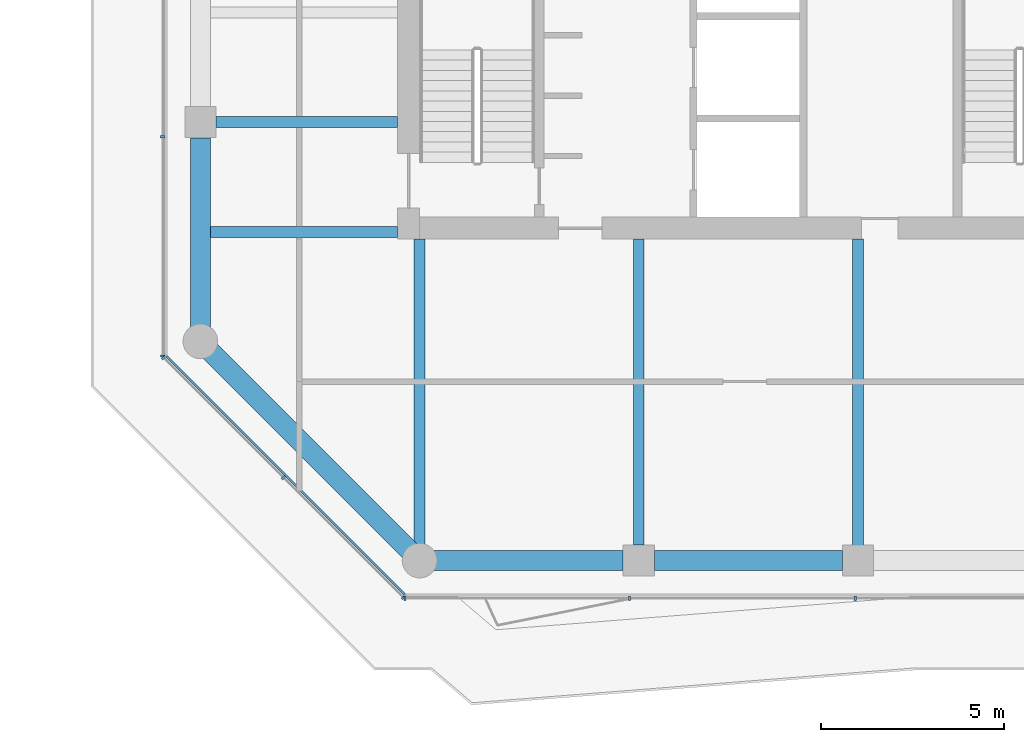
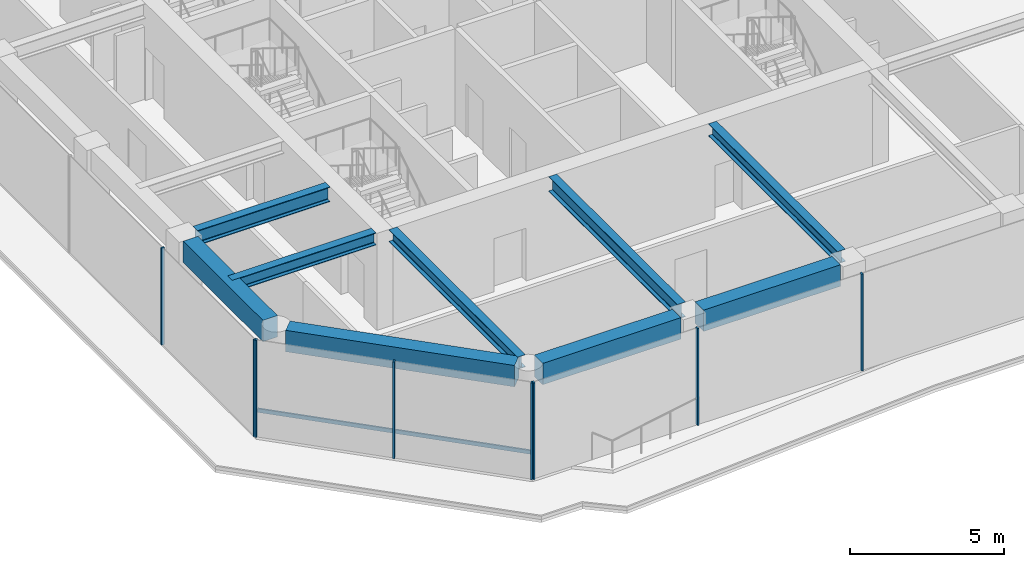
# One storey, part 2 of 23: 9 beams, 9 members, 3 elements without a shape of their own.
"""IFC4 building model written with IfcOpenShell, lengths in metres."""

import ifcopenshell
import ifcopenshell.guid

model = None  # the IFC model being written
_history = None  # IfcOwnerHistory: only IFC2X3 demands one
_inside = {}  # id of a spatial element -> (the spatial element, [elements in it])
_under = {}  # id of a project, library or spatial element -> (it, [spatial elements below it])
_declared = {}  # id of a project -> (the project, [libraries it declares])
_typed = {}  # id of a type object -> (the type object, [elements of that type])
_made_of = {}  # id of a material, layer set ... -> (it, [elements and type objects made of it])


def new_model(schema):
    """Start an empty IFC model of exactly this schema.

    Asked for "IFC4X3", IfcOpenShell would pick the latest addendum, in which some entities
    have other attributes; the version numbers below select the first issue.
    IFC2X3 requires an IfcOwnerHistory on every rooted entity: one is made here for all.
    """
    global model, _history
    if schema == "IFC4X3":
        model = ifcopenshell.file(schema_version=(4, 3, 0, 0))
    else:
        model = ifcopenshell.file(schema=schema)
    _inside.clear()
    _under.clear()
    _declared.clear()
    _typed.clear()
    _made_of.clear()
    _history = None
    if model.schema == "IFC2X3":
        org = make("IfcOrganization", Name="unknown")
        user = make(
            "IfcPersonAndOrganization",
            ThePerson=make("IfcPerson", FamilyName="unknown"),
            TheOrganization=org,
        )
        app = make(
            "IfcApplication",
            ApplicationDeveloper=org,
            Version="unknown",
            ApplicationFullName="unknown",
            ApplicationIdentifier="unknown",
        )
        _history = make(
            "IfcOwnerHistory",
            OwningUser=user,
            OwningApplication=app,
            ChangeAction="ADDED",
            CreationDate=0,
        )
    return model


def make(cls, **values):
    """One entity of the class cls with the attributes given. An attribute that is None is left unset."""
    return model.create_entity(
        cls, **{name: value for name, value in values.items() if value is not None}
    )


def rooted(cls, **values):
    """An entity with a GlobalId (a new one), such as an element, a storey or a relation."""
    return make(cls, GlobalId=ifcopenshell.guid.new(), OwnerHistory=_history, **values)


def si_unit(unit_type, name, prefix=None):
    """IfcSIUnit, for example si_unit("LENGTHUNIT", "METRE", prefix="MILLI")."""
    return make("IfcSIUnit", UnitType=unit_type, Prefix=prefix, Name=name)


def assignment(units):
    """IfcUnitAssignment: the units of a project."""
    return None if units is None else make("IfcUnitAssignment", Units=units)


def point(xyz):
    """IfcCartesianPoint."""
    return None if xyz is None else make("IfcCartesianPoint", Coordinates=xyz)


def direction(xyz):
    """IfcDirection."""
    return None if xyz is None else make("IfcDirection", DirectionRatios=xyz)


def frame(location, z_axis=None, x_axis=None):
    """IfcAxis2Placement3D, a coordinate frame: its origin and axes. An axis left out is left unset."""
    return make(
        "IfcAxis2Placement3D",
        Location=point(location),
        Axis=direction(z_axis),
        RefDirection=direction(x_axis),
    )


def frame_2d(location, x_axis=None):
    """IfcAxis2Placement2D, a coordinate frame in the plane: its origin and x axis."""
    return make(
        "IfcAxis2Placement2D", Location=point(location), RefDirection=direction(x_axis)
    )


def origin():
    """The frame at (0, 0, 0) with its axes left unset."""
    return frame((0.0, 0.0, 0.0))


def origin_2d():
    """The frame at (0, 0) in the plane with its x axis left unset."""
    return frame_2d((0.0, 0.0))


def place(relative_to, where):
    """IfcLocalPlacement: puts the frame where relative to a parent placement (None: the world)."""
    return make(
        "IfcLocalPlacement", PlacementRelTo=relative_to, RelativePlacement=where
    )


def context(
    kind, dimensions, precision=None, world=None, true_north=None, identifier=None
):
    """IfcGeometricRepresentationContext, for example the 3D "Model" context."""
    return make(
        "IfcGeometricRepresentationContext",
        ContextIdentifier=identifier,
        ContextType=kind,
        CoordinateSpaceDimension=dimensions,
        Precision=precision,
        WorldCoordinateSystem=world,
        TrueNorth=true_north,
    )


def subcontext(parent, identifier, kind, view, scale=None):
    """IfcGeometricRepresentationSubContext, for example "Body" below "Model"."""
    return make(
        "IfcGeometricRepresentationSubContext",
        ContextIdentifier=identifier,
        ContextType=kind,
        ParentContext=parent,
        TargetScale=scale,
        TargetView=view,
    )


def project(units=None, contexts=None):
    """IfcProject with its units and contexts."""
    return rooted(
        "IfcProject",
        Name="project",
        RepresentationContexts=contexts,
        UnitsInContext=assignment(units),
    )


def spatial(cls, under=None, at=None, **own):
    """A site, building, storey or space (cls), placed at a placement, below another one or the project."""
    s = rooted(cls, ObjectPlacement=at, **own)
    if under is not None:
        _under.setdefault(under.id(), (under, []))[1].append(s)
    return s


def profile(cls, at=None, kind="AREA", **sizes):
    """A parametric profile (cls). Its sizes go by their IFC names, for example OverallWidth=200.0."""
    return make(cls, ProfileType=kind, Position=at, **sizes)


def rectangle(**sizes):
    """IfcRectangleProfileDef."""
    return profile("IfcRectangleProfileDef", **sizes)


def i_section(**sizes):
    """IfcIShapeProfileDef."""
    return profile("IfcIShapeProfileDef", **sizes)


def extrude(swept, where, along, depth):
    """IfcExtrudedAreaSolid: the profile swept, set in the frame where, extruded along a direction by depth."""
    return make(
        "IfcExtrudedAreaSolid",
        SweptArea=swept,
        Position=where,
        ExtrudedDirection=direction(along),
        Depth=depth,
    )


def shape(context_of_items, identifier, shape_type, items):
    """IfcShapeRepresentation: the items that make up one representation, for example the "Body"."""
    return make(
        "IfcShapeRepresentation",
        ContextOfItems=context_of_items,
        RepresentationIdentifier=identifier,
        RepresentationType=shape_type,
        Items=items,
    )


def material(Name=None, Category=None):
    """IfcMaterial."""
    return make("IfcMaterial", Name=Name, Category=Category)


def layer(
    of_material, thickness, ventilated=None, Name=None, Category=None, Priority=None
):
    """IfcMaterialLayer: one layer of a wall or slab, of a material (None: an air gap)."""
    return make(
        "IfcMaterialLayer",
        Material=of_material,
        LayerThickness=thickness,
        IsVentilated=ventilated,
        Name=Name,
        Category=Category,
        Priority=Priority,
    )


def layer_set(layers, Name=None):
    """IfcMaterialLayerSet."""
    return make("IfcMaterialLayerSet", MaterialLayers=layers, LayerSetName=Name)


def material_profile(
    of_material, cross_section, Name=None, Category=None, Priority=None
):
    """IfcMaterialProfile: a cross section and its material."""
    return make(
        "IfcMaterialProfile",
        Name=Name,
        Material=of_material,
        Profile=cross_section,
        Priority=Priority,
        Category=Category,
    )


def profile_set(profiles, Name=None, composite=None):
    """IfcMaterialProfileSet."""
    return make(
        "IfcMaterialProfileSet",
        Name=Name,
        MaterialProfiles=profiles,
        CompositeProfile=composite,
    )


def made_of(thing, what):
    """Note that an element or type object is made of a material, layer set ...; save() writes the relation."""
    if what is not None:
        _made_of.setdefault(what.id(), (what, []))[1].append(thing)
    return thing


def type_object(cls, material=None, **own):
    """A type object (cls), such as IfcWallType, which elements share."""
    return made_of(rooted(cls, **own), material)


def element(
    cls,
    number,
    at=None,
    inside=None,
    cuts=None,
    type_object=None,
    material=None,
    context=None,
    identifier="Body",
    shape_type=None,
    held_by="IfcProductDefinitionShape",
    body=None,
    shapes=None,
    **own,
):
    """One element of the class cls, such as IfcWall. Its Tag is "e" and its number.

    at: its placement. inside: the storey or other place that contains it. cuts: it is an
    opening in that element (IfcRelVoidsElement). A single representation is given by context,
    identifier, shape_type and body (its items); several are given by shapes. held_by: the class
    of the entity that holds the representations. save() writes the other relations.
    """
    e = rooted(cls, Tag="e%d" % number, ObjectPlacement=at, **own)
    if body is not None:
        shapes = [shape(context, identifier, shape_type, body)]
    if shapes is not None:
        e.Representation = make(held_by, Representations=shapes)
    if inside is not None:
        _inside.setdefault(inside.id(), (inside, []))[1].append(e)
    if cuts is not None:
        rooted(
            "IfcRelVoidsElement", RelatingBuildingElement=cuts, RelatedOpeningElement=e
        )
    if type_object is not None:
        _typed.setdefault(type_object.id(), (type_object, []))[1].append(e)
    return made_of(e, material)


def aggregate(whole, parts):
    """IfcRelAggregates: a whole, such as a stair, and the parts it consists of."""
    return rooted("IfcRelAggregates", RelatingObject=whole, RelatedObjects=parts)


def save(model, path):
    """Write the relations noted so far, then the file.

    IfcRelAggregates (storeys below a building ...), IfcRelContainedInSpatialStructure (elements
    in a storey), IfcRelDefinesByType, IfcRelAssociatesMaterial and IfcRelDeclares: one each for
    every whole, place, type object, material and project.
    """
    for whole, parts in _under.values():
        aggregate(whole, parts)
    for where, things in _inside.values():
        rooted(
            "IfcRelContainedInSpatialStructure",
            RelatedElements=things,
            RelatingStructure=where,
        )
    for kind, things in _typed.values():
        rooted("IfcRelDefinesByType", RelatedObjects=things, RelatingType=kind)
    for what, things in _made_of.values():
        rooted("IfcRelAssociatesMaterial", RelatedObjects=things, RelatingMaterial=what)
    for by, libraries in _declared.values():
        rooted("IfcRelDeclares", RelatingContext=by, RelatedDefinitions=libraries)
    model.write(path)


model = new_model("IFC4")

# Units and contexts
model_context = context("Model", 3, precision=1e-05, world=origin(), true_north=direction((0.0, 1.0)))
body_context = subcontext(model_context, "Body", "Model", "MODEL_VIEW")
ifc_project = project(units=[si_unit("LENGTHUNIT", "METRE"), si_unit("AREAUNIT", "SQUARE_METRE"), si_unit("VOLUMEUNIT", "CUBIC_METRE"), si_unit("PLANEANGLEUNIT", "RADIAN"), si_unit("MASSUNIT", "GRAM", prefix="KILO")], contexts=[model_context])

# Site, building, storey
site_placement = place(None, origin())
site = spatial("IfcSite", under=ifc_project, at=site_placement, CompositionType="ELEMENT")
building_placement = place(site_placement, origin())
building = spatial("IfcBuilding", under=site, at=building_placement, Name="Welwitschia Terrace Campus", CompositionType="ELEMENT")
storey_placement = place(building_placement, frame((0.0, 0.0, 188.60009765625)))
storey = spatial("IfcBuildingStorey", under=building, at=storey_placement, Name="L42", CompositionType="ELEMENT", Elevation=188.60009765625)

# Beams
ifc_material_1 = material(Name="Steel S355", Category="steel")
ifc_material_profile_1 = material_profile(ifc_material_1, i_section(OverallWidth=0.300048828125, OverallDepth=0.489990234375, WebThickness=0.011962890625, FlangeThickness=0.02294921875, FilletRadius=0.027099609375, at=origin_2d()))
ifc_profile_set_1 = profile_set([ifc_material_profile_1], Name="Steel S355")
beam_type_1 = type_object("IfcBeamType", Name="Interior girder HE 500 A", PredefinedType="BEAM", material=ifc_profile_set_1)
beam_1_placement = place(storey_placement, frame((-0.010009765625, 5.0, 3.60498046875), z_axis=(1.0, 0.0, 0.0), x_axis=(0.0, 1.0, 0.0)))
element("IfcBeam", 1, at=beam_1_placement, inside=storey, type_object=beam_type_1, Name="Girder GB4", PredefinedType="BEAM", context=body_context, shape_type="SweptSolid", body=[
    extrude(i_section(OverallWidth=0.300048828125, OverallDepth=0.489990234375, WebThickness=0.011962890625, FlangeThickness=0.02294921875, FilletRadius=0.027099609375, at=origin_2d()), origin(), (0.0, 0.0, 1.0), 5.408935546875),
])
beam_2_placement = place(storey_placement, frame((6.0, -3.55859375, 3.60498046875), z_axis=(0.0, 1.0, 0.0), x_axis=(-1.0, 0.0, 0.0)))
element("IfcBeam", 2, at=beam_2_placement, inside=storey, type_object=beam_type_1, Name="Girder GB4", PredefinedType="BEAM", context=body_context, shape_type="SweptSolid", body=[
    extrude(i_section(OverallWidth=0.300048828125, OverallDepth=0.489990234375, WebThickness=0.011962890625, FlangeThickness=0.02294921875, FilletRadius=0.027099609375, at=origin_2d()), origin(), (0.0, 0.0, 1.0), 8.357666015625),
])
beam_3_placement = place(storey_placement, frame((18.0, -3.58447265625, 3.60498046875), z_axis=(0.0, 1.0, 0.0), x_axis=(-1.0, 0.0, 0.0)))
element("IfcBeam", 3, at=beam_3_placement, inside=storey, type_object=beam_type_1, Name="Girder GB4", PredefinedType="BEAM", context=body_context, shape_type="SweptSolid", body=[
    extrude(i_section(OverallWidth=0.300048828125, OverallDepth=0.489990234375, WebThickness=0.011962890625, FlangeThickness=0.02294921875, FilletRadius=0.027099609375, at=origin_2d()), origin(), (0.0, 0.0, 1.0), 8.383544921875),
])

# Curtain wall, members
ifc_material_2 = material(Name="Bronze anodised aluminium", Category="aluminium")
ifc_layer = layer(ifc_material_2, 0.1201171875)
ifc_layer_set = layer_set([ifc_layer], Name="Bronze anodised aluminium")
curtain_wall_type = type_object("IfcCurtainWallType", Name="Curtain wall CW2 tower 6000", PredefinedType="NOTDEFINED", material=ifc_layer_set)
curtain_wall_1_placement = place(storey_placement, origin())
curtain_wall_1 = element("IfcCurtainWall", 4, at=curtain_wall_1_placement, inside=storey, type_object=curtain_wall_type, Name="CW L42.1.0", PredefinedType="NOTDEFINED")
ifc_material_3 = material(Name="Bronze anodised aluminium", Category="aluminium")
ifc_material_profile_2 = material_profile(ifc_material_3, rectangle(XDim=0.1201171875, YDim=0.06005859375, at=origin_2d()))
ifc_profile_set_2 = profile_set([ifc_material_profile_2], Name="Bronze anodised aluminium")
member_type_1 = type_object("IfcMemberType", Name="Mullion 60x120", PredefinedType="MULLION", material=ifc_profile_set_2)
member_1_placement = place(storey_placement, frame((-1.030029296875, 7.603271484375, 0.0), z_axis=(0.0, 0.0, 1.0), x_axis=(1.0, 0.0, 0.0)))
member_1 = element("IfcMember", 5, at=member_1_placement, type_object=member_type_1, Name="Mullion L42.1.0.3", PredefinedType="MULLION", context=body_context, shape_type="SweptSolid", body=[
    extrude(rectangle(XDim=0.1201171875, YDim=0.06005859375, at=origin_2d()), origin(), (0.0, 0.0, 1.0), 3.849853515625),
])
member_2_placement = place(storey_placement, frame((-1.030029296875, 1.603271484375, 0.0), z_axis=(0.0, 0.0, 1.0), x_axis=(1.0, 0.0, 0.0)))
member_2 = element("IfcMember", 6, at=member_2_placement, type_object=member_type_1, Name="Mullion L42.1.0.4", PredefinedType="MULLION", context=body_context, shape_type="SweptSolid", body=[
    extrude(rectangle(XDim=0.1201171875, YDim=0.06005859375, at=origin_2d()), origin(), (0.0, 0.0, 1.0), 3.849853515625),
])
aggregate(curtain_wall_1, [member_1, member_2])

curtain_wall_2_placement = place(storey_placement, origin())
curtain_wall_2 = element("IfcCurtainWall", 7, at=curtain_wall_2_placement, inside=storey, type_object=curtain_wall_type, Name="CW L42.2.0", PredefinedType="NOTDEFINED")
member_3_placement = place(storey_placement, frame((-1.0087890625, 1.55224609375, 0.0), z_axis=(0.0, 0.0, 1.0), x_axis=(0.707106781187, 0.707106781187, 0.0)))
member_3 = element("IfcMember", 8, at=member_3_placement, type_object=member_type_1, Name="Mullion L42.2.0.0", PredefinedType="MULLION", context=body_context, shape_type="SweptSolid", body=[
    extrude(rectangle(XDim=0.1201171875, YDim=0.06005859375, at=origin_2d()), origin(), (0.0, 0.0, 1.0), 3.849853515625),
])
member_4_placement = place(storey_placement, frame((2.271728515625, -1.728271484375, 0.0), z_axis=(0.0, 0.0, 1.0), x_axis=(0.707106781187, 0.707106781187, 0.0)))
member_4 = element("IfcMember", 9, at=member_4_placement, type_object=member_type_1, Name="Mullion L42.2.0.1", PredefinedType="MULLION", context=body_context, shape_type="SweptSolid", body=[
    extrude(rectangle(XDim=0.1201171875, YDim=0.06005859375, at=origin_2d()), origin(), (0.0, 0.0, 1.0), 3.849853515625),
])
member_5_placement = place(storey_placement, frame((5.55224609375, -5.0087890625, 0.0), z_axis=(0.0, 0.0, 1.0), x_axis=(0.707106781187, 0.707106781187, 0.0)))
member_5 = element("IfcMember", 10, at=member_5_placement, type_object=member_type_1, Name="Mullion L42.2.0.2", PredefinedType="MULLION", context=body_context, shape_type="SweptSolid", body=[
    extrude(rectangle(XDim=0.1201171875, YDim=0.06005859375, at=origin_2d()), origin(), (0.0, 0.0, 1.0), 3.849853515625),
])

curtain_wall_3_placement = place(storey_placement, origin())
curtain_wall_3 = element("IfcCurtainWall", 11, at=curtain_wall_3_placement, inside=storey, type_object=curtain_wall_type, Name="CW L42.3.0", PredefinedType="NOTDEFINED")
member_6_placement = place(storey_placement, frame((5.603271484375, -5.030029296875, 0.0), z_axis=(0.0, 0.0, 1.0), x_axis=(0.0, 1.0, 0.0)))
member_6 = element("IfcMember", 12, at=member_6_placement, type_object=member_type_1, Name="Mullion L42.3.0.0", PredefinedType="MULLION", context=body_context, shape_type="SweptSolid", body=[
    extrude(rectangle(XDim=0.1201171875, YDim=0.06005859375, at=origin_2d()), origin(), (0.0, 0.0, 1.0), 3.849853515625),
])
member_7_placement = place(storey_placement, frame((11.75, -5.030029296875, 0.0), z_axis=(0.0, 0.0, 1.0), x_axis=(0.0, 1.0, 0.0)))
member_7 = element("IfcMember", 13, at=member_7_placement, type_object=member_type_1, Name="Mullion L42.3.0.1", PredefinedType="MULLION", context=body_context, shape_type="SweptSolid", body=[
    extrude(rectangle(XDim=0.1201171875, YDim=0.06005859375, at=origin_2d()), origin(), (0.0, 0.0, 1.0), 3.849853515625),
])
member_8_placement = place(storey_placement, frame((17.9267578125, -5.030029296875, 0.0), z_axis=(0.0, 0.0, 1.0), x_axis=(0.0, 1.0, 0.0)))
member_8 = element("IfcMember", 14, at=member_8_placement, type_object=member_type_1, Name="Mullion L42.3.0.2", PredefinedType="MULLION", context=body_context, shape_type="SweptSolid", body=[
    extrude(rectangle(XDim=0.1201171875, YDim=0.06005859375, at=origin_2d()), origin(), (0.0, 0.0, 1.0), 3.849853515625),
])
aggregate(curtain_wall_3, [member_6, member_7, member_8])

# Beams
ifc_material_4 = material(Name="Steel S355", Category="steel")
ifc_material_profile_3 = material_profile(ifc_material_4, i_section(OverallWidth=0.300048828125, OverallDepth=0.590087890625, WebThickness=0.012939453125, FlangeThickness=0.02490234375, FilletRadius=0.027099609375, at=origin_2d()))
ifc_profile_set_3 = profile_set([ifc_material_profile_3], Name="Steel S355")
beam_type_2 = type_object("IfcBeamType", Name="Primary beam HE 600 A", PredefinedType="BEAM", material=ifc_profile_set_3)
beam_4_placement = place(storey_placement, frame((12.0, -3.574462890625, 3.554931640625), z_axis=(0.0, 1.0, 0.0), x_axis=(-1.0, 0.0, 0.0)))
element("IfcBeam", 15, at=beam_4_placement, inside=storey, type_object=beam_type_2, Name="Primary beam PB4", PredefinedType="BEAM", context=body_context, shape_type="SweptSolid", body=[
    extrude(i_section(OverallWidth=0.300048828125, OverallDepth=0.590087890625, WebThickness=0.012939453125, FlangeThickness=0.02490234375, FilletRadius=0.027099609375, at=origin_2d()), origin(), (0.0, 0.0, 1.0), 8.37451171875),
])
beam_5_placement = place(storey_placement, frame((0.425537109375, 8.0, 3.554931640625), z_axis=(1.0, 0.0, 0.0), x_axis=(0.0, 1.0, 0.0)))
element("IfcBeam", 16, at=beam_5_placement, inside=storey, type_object=beam_type_2, Name="Primary beam PB4", PredefinedType="BEAM", context=body_context, shape_type="SweptSolid", body=[
    extrude(i_section(OverallWidth=0.300048828125, OverallDepth=0.590087890625, WebThickness=0.012939453125, FlangeThickness=0.02490234375, FilletRadius=0.027099609375, at=origin_2d()), origin(), (0.0, 0.0, 1.0), 4.974365234375),
])
ifc_material_5 = material(Name="Concrete C50/60", Category="concrete")
ifc_material_profile_4 = material_profile(ifc_material_5, rectangle(XDim=0.550048828125, YDim=0.85009765625, at=origin_2d()))
ifc_profile_set_4 = profile_set([ifc_material_profile_4], Name="Concrete C50/60")
beam_type_3 = type_object("IfcBeamType", Name="Ring spandrel 550x850", PredefinedType="SPANDREL", material=ifc_profile_set_4)
beam_6_placement = place(storey_placement, frame((0.2744140625, 1.7255859375, 3.4248046875), z_axis=(0.707106781187, -0.707106781187, 0.0), x_axis=(0.707106781187, 0.707106781187, 0.0)))
element("IfcBeam", 17, at=beam_6_placement, inside=storey, type_object=beam_type_3, Name="Spandrel SP3", PredefinedType="SPANDREL", context=body_context, shape_type="SweptSolid", body=[
    extrude(rectangle(XDim=0.550048828125, YDim=0.85009765625, at=origin_2d()), origin(), (0.0, 0.0, 1.0), 7.709228515625),
])
beam_7_placement = place(storey_placement, frame((6.387939453125, -4.0, 3.4248046875), z_axis=(1.0, 0.0, 0.0), x_axis=(0.0, 1.0, 0.0)))
element("IfcBeam", 18, at=beam_7_placement, inside=storey, type_object=beam_type_3, Name="Spandrel SP3", PredefinedType="SPANDREL", context=body_context, shape_type="SweptSolid", body=[
    extrude(rectangle(XDim=0.550048828125, YDim=0.85009765625, at=origin_2d()), origin(), (0.0, 0.0, 1.0), 5.1865234375),
])
beam_8_placement = place(storey_placement, frame((12.425537109375, -4.0, 3.4248046875), z_axis=(1.0, 0.0, 0.0), x_axis=(0.0, 1.0, 0.0)))
element("IfcBeam", 19, at=beam_8_placement, inside=storey, type_object=beam_type_3, Name="Spandrel SP3", PredefinedType="SPANDREL", context=body_context, shape_type="SweptSolid", body=[
    extrude(rectangle(XDim=0.550048828125, YDim=0.85009765625, at=origin_2d()), origin(), (0.0, 0.0, 1.0), 5.14892578125),
])
beam_9_placement = place(storey_placement, frame((0.0, 7.574462890625, 3.4248046875), z_axis=(0.0, -1.0, 0.0), x_axis=(1.0, 0.0, 0.0)))
element("IfcBeam", 20, at=beam_9_placement, inside=storey, type_object=beam_type_3, Name="Spandrel SP3", PredefinedType="SPANDREL", context=body_context, shape_type="SweptSolid", body=[
    extrude(rectangle(XDim=0.550048828125, YDim=0.85009765625, at=origin_2d()), origin(), (0.0, 0.0, 1.0), 5.1865234375),
])

# Member
ifc_material_6 = material(Name="Bronze anodised aluminium", Category="aluminium")
ifc_material_profile_5 = material_profile(ifc_material_6, rectangle(XDim=0.06005859375, YDim=0.14990234375, at=origin_2d()))
ifc_profile_set_5 = profile_set([ifc_material_profile_5], Name="Bronze anodised aluminium")
member_type_2 = type_object("IfcMemberType", Name="Transom 60x150", PredefinedType="USERDEFINED", material=ifc_profile_set_5)
member_9_placement = place(storey_placement, frame((-0.923828125, 1.594482421875, 1.0), z_axis=(0.707106781187, -0.707106781187, 0.0), x_axis=(0.707106781187, 0.707106781187, 0.0)))
member_9 = element("IfcMember", 21, at=member_9_placement, type_object=member_type_2, Name="Transom L42.2.0", ObjectType="TRANSOM", PredefinedType="USERDEFINED", context=body_context, shape_type="SweptSolid", body=[
    extrude(rectangle(XDim=0.06005859375, YDim=0.14990234375, at=origin_2d()), origin(), (0.0, 0.0, 1.0), 9.21826171875),
])

aggregate(curtain_wall_2, [member_3, member_4, member_5, member_9])

save(model, "model.ifc")
